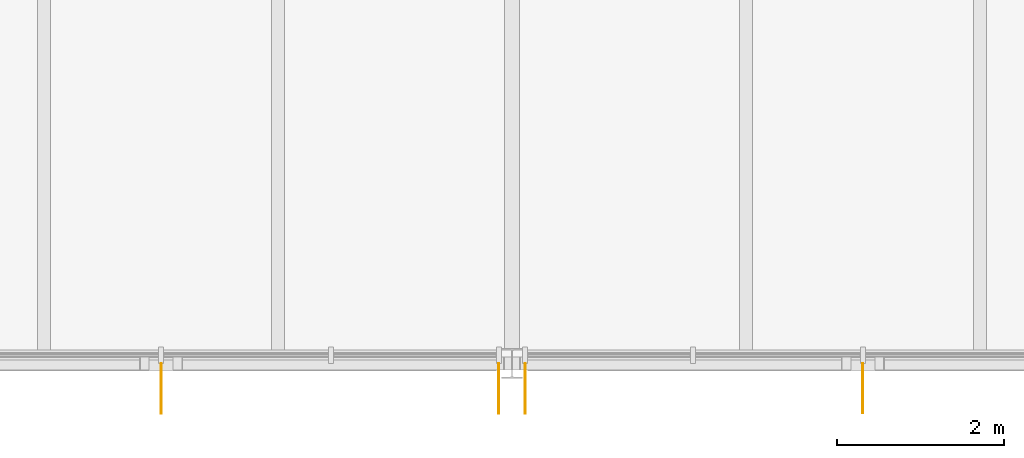
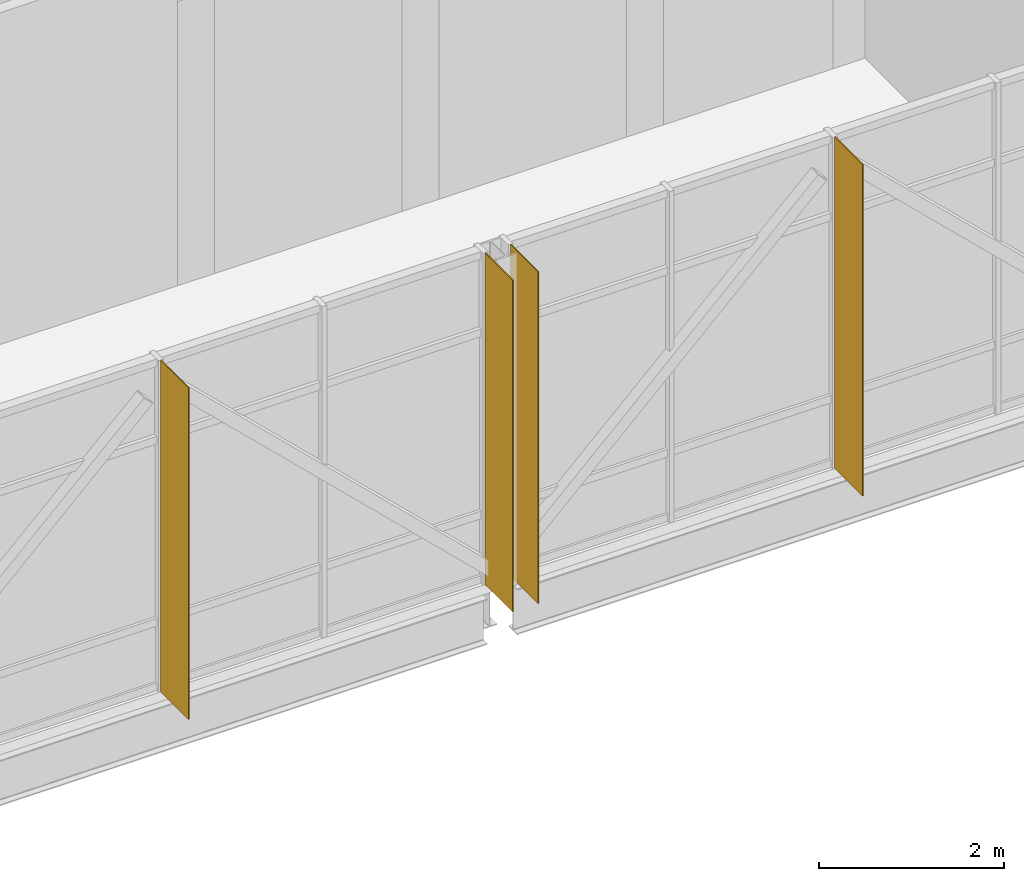
# One storey, part 59 of 72: 4 shading devices.
"""IFC4 building model written with IfcOpenShell, lengths in metres."""

from ifc_helpers import new_model, si_unit, direction, frame, origin, origin_2d, place, context, subcontext, project, spatial, rectangle, extrude, material, layer, layer_set, type_object, element, save


model = new_model("IFC4")

# Units and contexts
model_context = context("Model", 3, precision=1e-05, world=origin(), true_north=direction((0.0, 1.0)))
body_context = subcontext(model_context, "Body", "Model", "MODEL_VIEW")
ifc_project = project(units=[si_unit("LENGTHUNIT", "METRE"), si_unit("AREAUNIT", "SQUARE_METRE"), si_unit("VOLUMEUNIT", "CUBIC_METRE"), si_unit("PLANEANGLEUNIT", "RADIAN"), si_unit("MASSUNIT", "GRAM", prefix="KILO")], contexts=[model_context])

# Site, building, storey
site_placement = place(None, origin())
site = spatial("IfcSite", under=ifc_project, at=site_placement, CompositionType="ELEMENT")
building_placement = place(site_placement, origin())
building = spatial("IfcBuilding", under=site, at=building_placement, Name="Hlaing Beacon Police Headquarters", CompositionType="ELEMENT")
storey_placement = place(building_placement, frame((0.0, 0.0, 14.39990234375)))
storey = spatial("IfcBuildingStorey", under=building, at=storey_placement, Name="L03", CompositionType="ELEMENT", Elevation=14.39990234375)

# Shading devices
ifc_material = material(Name="Aluminium 6063-T5 anodised", Category="aluminium")
ifc_layer = layer(ifc_material, 0.011962890625)
ifc_layer_set = layer_set([ifc_layer], Name="Aluminium 6063-T5 anodised")
shading_device_type = type_object("IfcShadingDeviceType", Name="Aluminium fin 12x600", PredefinedType="JALOUSIE", material=ifc_layer_set)
for number, where, z_axis, x_axis, name in (
    (1, (29.39990234375, 8.10009765625, 0.0), (0.0, 0.0, 1.0), (1.0, 0.0, 0.0), "Fin L03 S017.2"),
    (2, (33.441650390625, 8.10009765625, 0.0), (0.0, 0.0, 1.0), (1.0, 0.0, 0.0), "Fin L03 S017.4"),
    (3, (33.75830078125, 8.10009765625, 0.0), (0.0, 0.0, 1.0), (1.0, 0.0, 0.0), "Fin L03 S018.0"),
    (4, (37.800048828125, 8.10009765625, 0.0), (0.0, 0.0, 1.0), (1.0, 0.0, 0.0), "Fin L03 S018.2"),
):
    element("IfcShadingDevice", number, at=place(storey_placement, frame(where, z_axis=z_axis, x_axis=x_axis)), inside=storey, type_object=shading_device_type, Name=name, PredefinedType="JALOUSIE", context=body_context, shape_type="SweptSolid", body=[
        extrude(rectangle(XDim=0.011962890625, YDim=0.60009765625, at=origin_2d()), origin(), (0.0, 0.0, 1.0), 4.3701171875),
    ])

save(model, "model.ifc")
